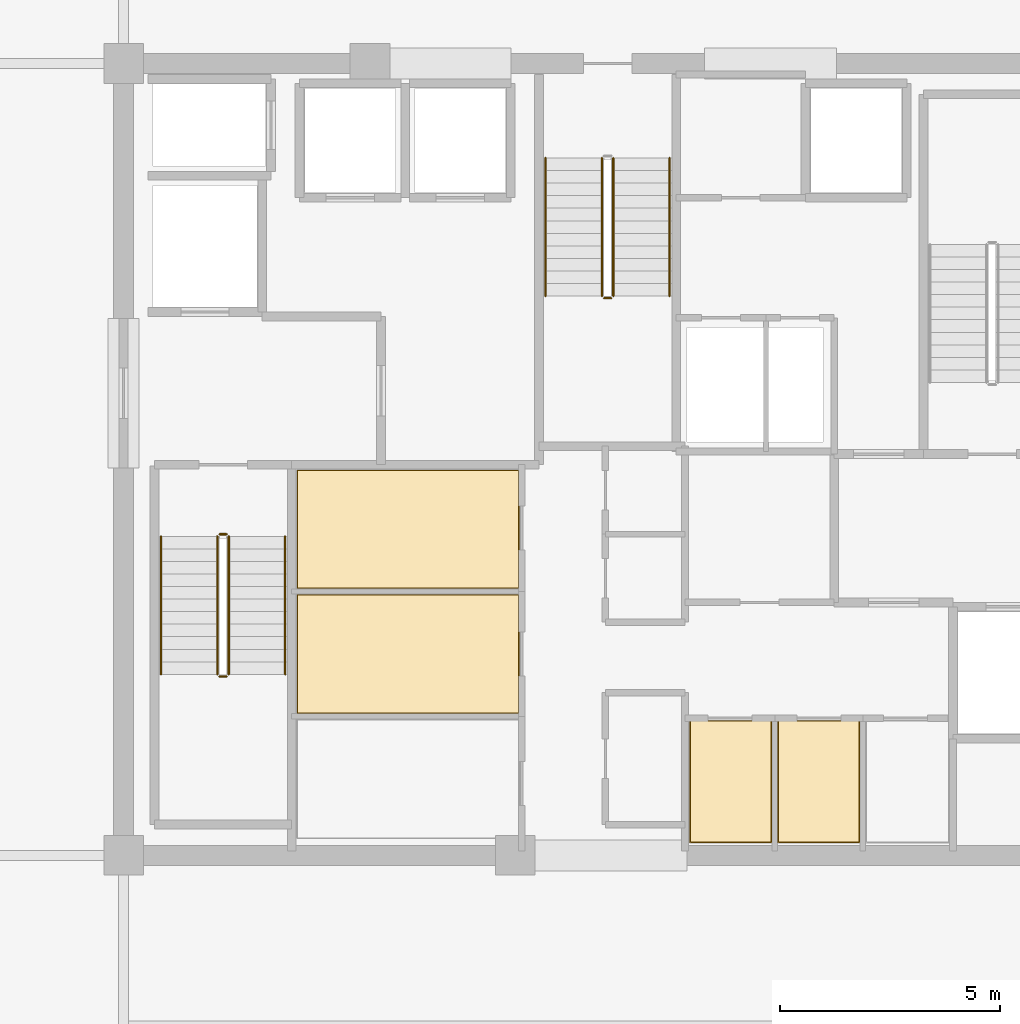
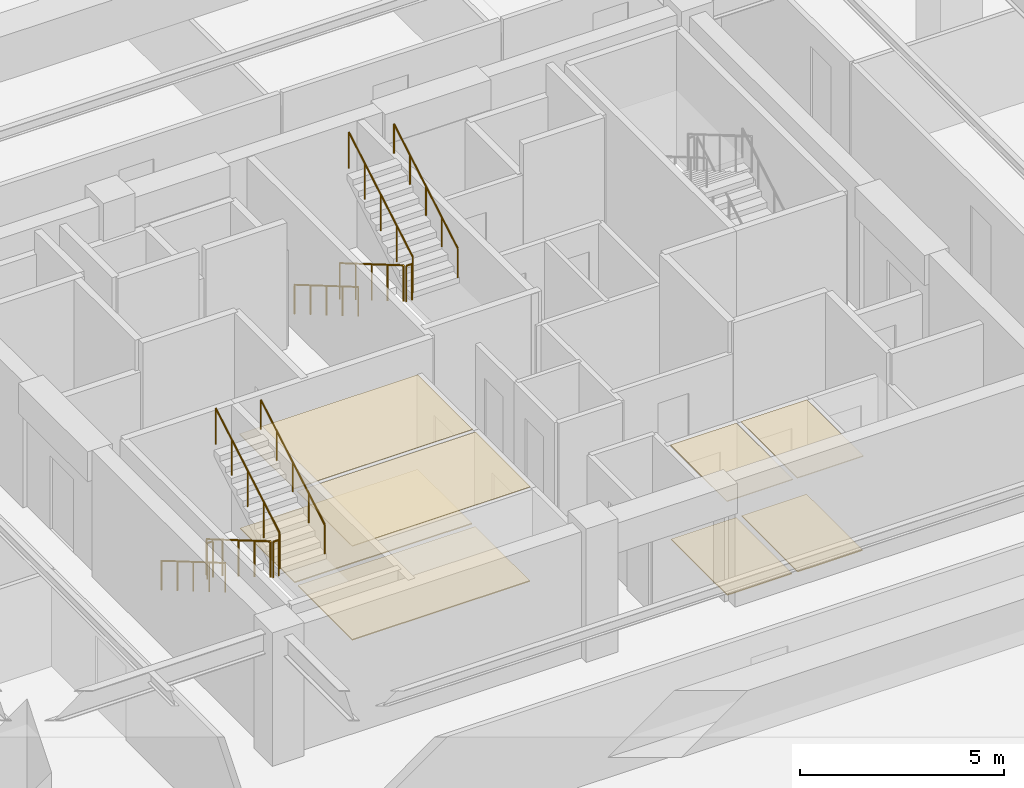
# One storey, part 21 of 24: 11 railings, 8 coverings.
"""IFC4 building model written with IfcOpenShell, lengths in metres."""

from ifc_helpers import new_model, si_unit, direction, frame, origin, origin_2d, place, context, subcontext, project, spatial, polyline, circle, outline, extrude, material, layer, layer_set, type_object, element, save


model = new_model("IFC4")

# Units and contexts
model_context = context("Model", 3, precision=1e-05, world=origin(), true_north=direction((0.0, 1.0)))
body_context = subcontext(model_context, "Body", "Model", "MODEL_VIEW")
ifc_project = project(units=[si_unit("LENGTHUNIT", "METRE"), si_unit("AREAUNIT", "SQUARE_METRE"), si_unit("VOLUMEUNIT", "CUBIC_METRE"), si_unit("PLANEANGLEUNIT", "RADIAN"), si_unit("MASSUNIT", "GRAM", prefix="KILO")], contexts=[model_context])

# Site, building, storey
site_placement = place(None, origin())
site = spatial("IfcSite", under=ifc_project, at=site_placement, CompositionType="ELEMENT")
building_placement = place(site_placement, origin())
building = spatial("IfcBuilding", under=site, at=building_placement, Name="Kovane Verandah Tower", CompositionType="ELEMENT")
storey_placement = place(building_placement, frame((0.0, 0.0, 259.199951171875)))
storey = spatial("IfcBuildingStorey", under=building, at=storey_placement, Name="L60", CompositionType="ELEMENT", Elevation=259.199951171875)

# Coverings
ifc_material_1 = material(Name="Perforated Acoustic Mineral-Fibre Ceiling Tile", Category="gypsum")
ifc_layer_1 = layer(ifc_material_1, 0.02490234375)
ifc_layer_set_1 = layer_set([ifc_layer_1], Name="Perforated Acoustic Mineral-Fibre Ceiling Tile")
covering_type_1 = type_object("IfcCoveringType", Name="CV-CEIL-25", PredefinedType="CEILING", material=ifc_layer_set_1)
covering_1_placement = place(storey_placement, frame((0.0, 0.0, 2.824951171875)))
element("IfcCovering", 1, at=covering_1_placement, inside=storey, type_object=covering_type_1, Name="L60 First Aid and Wellness Room Acoustic Ceiling", PredefinedType="CEILING", context=body_context, shape_type="SweptSolid", body=[
    extrude(outline(polyline([(32.93505859375, 21.72509765625), (37.9951171875, 21.72509765625), (37.9951171875, 24.43505859375), (32.93505859375, 24.43505859375), (32.93505859375, 21.72509765625)])), origin(), (0.0, 0.0, 1.0), 0.025146484375),
])
covering_2_placement = place(storey_placement, frame((0.0, 0.0, 2.824951171875)))
element("IfcCovering", 2, at=covering_2_placement, inside=storey, type_object=covering_type_1, Name="L60 Tea and Copy Hub Acoustic Ceiling", PredefinedType="CEILING", context=body_context, shape_type="SweptSolid", body=[
    extrude(outline(polyline([(32.93505859375, 24.56494140625), (37.9951171875, 24.56494140625), (37.9951171875, 27.264892578125), (32.93505859375, 27.264892578125), (32.93505859375, 24.56494140625)])), origin(), (0.0, 0.0, 1.0), 0.025146484375),
])
covering_3_placement = place(storey_placement, frame((0.0, 0.0, 2.824951171875)))
element("IfcCovering", 3, at=covering_3_placement, inside=storey, type_object=covering_type_1, Name="L60 Mail and Copy Room Acoustic Ceiling", PredefinedType="CEILING", context=body_context, shape_type="SweptSolid", body=[
    extrude(outline(polyline([(41.864990234375, 18.784912109375), (43.735107421875, 18.784912109375), (43.735107421875, 21.56494140625), (41.864990234375, 21.56494140625), (41.864990234375, 18.784912109375)])), origin(), (0.0, 0.0, 1.0), 0.025146484375),
])
covering_4_placement = place(storey_placement, frame((0.0, 0.0, 2.824951171875)))
element("IfcCovering", 4, at=covering_4_placement, inside=storey, type_object=covering_type_1, Name="L60 First Aid Room Acoustic Ceiling", PredefinedType="CEILING", context=body_context, shape_type="SweptSolid", body=[
    extrude(outline(polyline([(43.864990234375, 18.784912109375), (45.735107421875, 18.784912109375), (45.735107421875, 21.56494140625), (43.864990234375, 21.56494140625), (43.864990234375, 18.784912109375)])), origin(), (0.0, 0.0, 1.0), 0.025146484375),
])
ifc_material_2 = material(Name="Polished Terrazzo and Raised-Access Carpet Tile Finish", Category="concrete")
ifc_layer_2 = layer(ifc_material_2, 0.030029296875)
ifc_layer_set_2 = layer_set([ifc_layer_2], Name="Polished Terrazzo and Raised-Access Carpet Tile Finish")
covering_type_2 = type_object("IfcCoveringType", Name="CV-FLOR-30", PredefinedType="FLOORING", material=ifc_layer_set_2)
covering_5_placement = place(storey_placement, origin())
element("IfcCovering", 5, at=covering_5_placement, inside=storey, type_object=covering_type_2, Name="L60 First Aid and Wellness Room Floor Finish", PredefinedType="FLOORING", context=body_context, shape_type="SweptSolid", body=[
    extrude(outline(polyline([(32.949951171875, 21.739990234375), (37.97998046875, 21.739990234375), (37.97998046875, 24.419921875), (32.949951171875, 24.419921875), (32.949951171875, 21.739990234375)])), origin(), (0.0, 0.0, 1.0), 0.030029296875),
])
covering_6_placement = place(storey_placement, origin())
element("IfcCovering", 6, at=covering_6_placement, inside=storey, type_object=covering_type_2, Name="L60 Tea and Copy Hub Floor Finish", PredefinedType="FLOORING", context=body_context, shape_type="SweptSolid", body=[
    extrude(outline(polyline([(32.949951171875, 24.580078125), (37.97998046875, 24.580078125), (37.97998046875, 27.25), (32.949951171875, 27.25), (32.949951171875, 24.580078125)])), origin(), (0.0, 0.0, 1.0), 0.030029296875),
])
covering_7_placement = place(storey_placement, origin())
element("IfcCovering", 7, at=covering_7_placement, inside=storey, type_object=covering_type_2, Name="L60 Mail and Copy Room Floor Finish", PredefinedType="FLOORING", context=body_context, shape_type="SweptSolid", body=[
    extrude(outline(polyline([(41.8798828125, 18.800048828125), (43.719970703125, 18.800048828125), (43.719970703125, 21.550048828125), (41.8798828125, 21.550048828125), (41.8798828125, 18.800048828125)])), origin(), (0.0, 0.0, 1.0), 0.030029296875),
])
covering_8_placement = place(storey_placement, origin())
element("IfcCovering", 8, at=covering_8_placement, inside=storey, type_object=covering_type_2, Name="L60 First Aid Room Floor Finish", PredefinedType="FLOORING", context=body_context, shape_type="SweptSolid", body=[
    extrude(outline(polyline([(43.8798828125, 18.800048828125), (45.719970703125, 18.800048828125), (45.719970703125, 21.550048828125), (43.8798828125, 21.550048828125), (43.8798828125, 18.800048828125)])), origin(), (0.0, 0.0, 1.0), 0.030029296875),
])

# Railings
ifc_material_3 = material(Name="Brushed Stainless Steel Handrail", Category="steel")
railing_type_1 = type_object("IfcRailingType", Name="RL-HAND-920", PredefinedType="HANDRAIL", material=ifc_material_3)
railing_1_placement = place(storey_placement, frame((29.85009765625, 25.75, 0.166748046875)))
element("IfcRailing", 9, at=railing_1_placement, inside=storey, type_object=railing_type_1, Name="L60 ST-01 stair handrail 1", PredefinedType="HANDRAIL", context=body_context, shape_type="SweptSolid", body=[
    extrude(circle(Radius=0.02392578125, at=origin_2d()), frame((0.0, 0.0, 0.8759765625), z_axis=(0.0, -0.863239559939, 0.504794475164), x_axis=(1.0, 0.0, 0.0)), (0.0, 0.0, 1.0), 3.631591796875),
    extrude(circle(Radius=0.02099609375, at=origin_2d()), origin(), (0.0, 0.0, 1.0), 0.851806640625),
    extrude(circle(Radius=0.02099609375, at=origin_2d()), frame((0.0, -0.78369140625, 0.458251953125)), (0.0, 0.0, 1.0), 0.851806640625),
    extrude(circle(Radius=0.02099609375, at=origin_2d()), frame((0.0, -1.5673828125, 0.91650390625)), (0.0, 0.0, 1.0), 0.851806640625),
    extrude(circle(Radius=0.02099609375, at=origin_2d()), frame((0.0, -2.351318359375, 1.375)), (0.0, 0.0, 1.0), 0.851806640625),
    extrude(circle(Radius=0.02099609375, at=origin_2d()), frame((0.0, -3.135009765625, 1.833251953125)), (0.0, 0.0, 1.0), 0.851806640625),
])
railing_2_placement = place(storey_placement, frame((32.669921875, 22.614990234375, 2.166748046875)))
element("IfcRailing", 10, at=railing_2_placement, inside=storey, type_object=railing_type_1, Name="L60 ST-01 stair handrail 2", PredefinedType="HANDRAIL", context=body_context, shape_type="SweptSolid", body=[
    extrude(circle(Radius=0.02392578125, at=origin_2d()), frame((0.0, 0.0, 0.8759765625), z_axis=(0.0, 0.863239559939, 0.504794475164), x_axis=(-1.0, 0.0, 0.0)), (0.0, 0.0, 1.0), 3.631591796875),
    extrude(circle(Radius=0.02099609375, at=origin_2d()), origin(), (0.0, 0.0, 1.0), 0.851806640625),
    extrude(circle(Radius=0.02099609375, at=origin_2d()), frame((0.0, 0.78369140625, 0.458251953125)), (0.0, 0.0, 1.0), 0.851806640625),
    extrude(circle(Radius=0.02099609375, at=origin_2d()), frame((0.0, 1.5673828125, 0.91650390625)), (0.0, 0.0, 1.0), 0.851806640625),
    extrude(circle(Radius=0.02099609375, at=origin_2d()), frame((0.0, 2.351318359375, 1.375)), (0.0, 0.0, 1.0), 0.851806640625),
    extrude(circle(Radius=0.02099609375, at=origin_2d()), frame((0.0, 3.135009765625, 1.833251953125)), (0.0, 0.0, 1.0), 0.851806640625),
])
railing_3_placement = place(storey_placement, frame((38.590087890625, 34.35009765625, 0.166748046875)))
element("IfcRailing", 11, at=railing_3_placement, inside=storey, type_object=railing_type_1, Name="L60 ST-03 stair handrail 1", PredefinedType="HANDRAIL", context=body_context, shape_type="SweptSolid", body=[
    extrude(circle(Radius=0.02392578125, at=origin_2d()), frame((0.0, 0.0, 0.8759765625), z_axis=(0.0, -0.863239559939, 0.504794475164), x_axis=(1.0, 0.0, 0.0)), (0.0, 0.0, 1.0), 3.631591796875),
    extrude(circle(Radius=0.02099609375, at=origin_2d()), origin(), (0.0, 0.0, 1.0), 0.851806640625),
    extrude(circle(Radius=0.02099609375, at=origin_2d()), frame((0.0, -0.78369140625, 0.458251953125)), (0.0, 0.0, 1.0), 0.851806640625),
    extrude(circle(Radius=0.02099609375, at=origin_2d()), frame((0.0, -1.5673828125, 0.91650390625)), (0.0, 0.0, 1.0), 0.851806640625),
    extrude(circle(Radius=0.02099609375, at=origin_2d()), frame((0.0, -2.351318359375, 1.375)), (0.0, 0.0, 1.0), 0.851806640625),
    extrude(circle(Radius=0.02099609375, at=origin_2d()), frame((0.0, -3.135009765625, 1.833251953125)), (0.0, 0.0, 1.0), 0.851806640625),
])
railing_4_placement = place(storey_placement, frame((41.409912109375, 31.215087890625, 2.166748046875)))
element("IfcRailing", 12, at=railing_4_placement, inside=storey, type_object=railing_type_1, Name="L60 ST-03 stair handrail 2", PredefinedType="HANDRAIL", context=body_context, shape_type="SweptSolid", body=[
    extrude(circle(Radius=0.02392578125, at=origin_2d()), frame((0.0, 0.0, 0.8759765625), z_axis=(0.0, 0.863239559939, 0.504794475164), x_axis=(-1.0, 0.0, 0.0)), (0.0, 0.0, 1.0), 3.631591796875),
    extrude(circle(Radius=0.02099609375, at=origin_2d()), origin(), (0.0, 0.0, 1.0), 0.851806640625),
    extrude(circle(Radius=0.02099609375, at=origin_2d()), frame((0.0, 0.78369140625, 0.458251953125)), (0.0, 0.0, 1.0), 0.851806640625),
    extrude(circle(Radius=0.02099609375, at=origin_2d()), frame((0.0, 1.5673828125, 0.91650390625)), (0.0, 0.0, 1.0), 0.851806640625),
    extrude(circle(Radius=0.02099609375, at=origin_2d()), frame((0.0, 2.351318359375, 1.375)), (0.0, 0.0, 1.0), 0.851806640625),
    extrude(circle(Radius=0.02099609375, at=origin_2d()), frame((0.0, 3.135009765625, 1.833251953125)), (0.0, 0.0, 1.0), 0.851806640625),
])
ifc_material_4 = material(Name="Painted Steel Stairwell Guardrail", Category="steel")
railing_type_2 = type_object("IfcRailingType", Name="RL-STGUARD-1120", PredefinedType="GUARDRAIL", material=ifc_material_4)
railing_5_placement = place(storey_placement, frame((31.1298828125, 25.75, 0.166748046875)))
element("IfcRailing", 13, at=railing_5_placement, inside=storey, type_object=railing_type_2, Name="L60 ST-01 stair guard 1", PredefinedType="GUARDRAIL", context=body_context, shape_type="SweptSolid", body=[
    extrude(circle(Radius=0.02392578125, at=origin_2d()), frame((0.0, 0.0, 1.076171875), z_axis=(0.0, -0.863239559939, 0.504794475164), x_axis=(1.0, 0.0, 0.0)), (0.0, 0.0, 1.0), 3.631591796875),
    extrude(circle(Radius=0.02099609375, at=origin_2d()), origin(), (0.0, 0.0, 1.0), 1.052001953125),
    extrude(circle(Radius=0.02099609375, at=origin_2d()), frame((0.0, -0.78369140625, 0.458251953125)), (0.0, 0.0, 1.0), 1.052001953125),
    extrude(circle(Radius=0.02099609375, at=origin_2d()), frame((0.0, -1.5673828125, 0.91650390625)), (0.0, 0.0, 1.0), 1.052001953125),
    extrude(circle(Radius=0.02099609375, at=origin_2d()), frame((0.0, -2.351318359375, 1.375)), (0.0, 0.0, 1.0), 1.052001953125),
    extrude(circle(Radius=0.02099609375, at=origin_2d()), frame((0.0, -3.135009765625, 1.833251953125)), (0.0, 0.0, 1.0), 1.052001953125),
])
railing_6_placement = place(storey_placement, frame((31.179931640625, 22.56494140625, 2.0)))
element("IfcRailing", 14, at=railing_6_placement, inside=storey, type_object=railing_type_2, Name="L60 ST-01 stair guard 2", PredefinedType="GUARDRAIL", context=body_context, shape_type="SweptSolid", body=[
    extrude(circle(Radius=0.02392578125, at=origin_2d()), frame((0.0, 0.0, 1.076171875), z_axis=(1.0, 0.0, 0.0), x_axis=(0.0, 1.0, 0.0)), (0.0, 0.0, 1.0), 0.16015625),
    extrude(circle(Radius=0.02099609375, at=origin_2d()), origin(), (0.0, 0.0, 1.0), 1.052001953125),
    extrude(circle(Radius=0.02099609375, at=origin_2d()), frame((0.16015625, 0.0, 0.0)), (0.0, 0.0, 1.0), 1.052001953125),
])
railing_7_placement = place(storey_placement, frame((31.389892578125, 22.614990234375, 2.166748046875)))
element("IfcRailing", 15, at=railing_7_placement, inside=storey, type_object=railing_type_2, Name="L60 ST-01 stair guard 3", PredefinedType="GUARDRAIL", context=body_context, shape_type="SweptSolid", body=[
    extrude(circle(Radius=0.02392578125, at=origin_2d()), frame((0.0, 0.0, 1.076171875), z_axis=(0.0, 0.863239559939, 0.504794475164), x_axis=(-1.0, 0.0, 0.0)), (0.0, 0.0, 1.0), 3.631591796875),
    extrude(circle(Radius=0.02099609375, at=origin_2d()), origin(), (0.0, 0.0, 1.0), 1.052001953125),
    extrude(circle(Radius=0.02099609375, at=origin_2d()), frame((0.0, 0.78369140625, 0.458251953125)), (0.0, 0.0, 1.0), 1.052001953125),
    extrude(circle(Radius=0.02099609375, at=origin_2d()), frame((0.0, 1.5673828125, 0.91650390625)), (0.0, 0.0, 1.0), 1.052001953125),
    extrude(circle(Radius=0.02099609375, at=origin_2d()), frame((0.0, 2.351318359375, 1.375)), (0.0, 0.0, 1.0), 1.052001953125),
    extrude(circle(Radius=0.02099609375, at=origin_2d()), frame((0.0, 3.135009765625, 1.833251953125)), (0.0, 0.0, 1.0), 1.052001953125),
])
railing_8_placement = place(storey_placement, frame((31.179931640625, 25.800048828125, 0.0)))
element("IfcRailing", 16, at=railing_8_placement, inside=storey, type_object=railing_type_2, Name="L60 ST-01 stair guard 4", PredefinedType="GUARDRAIL", context=body_context, shape_type="SweptSolid", body=[
    extrude(circle(Radius=0.02392578125, at=origin_2d()), frame((0.0, 0.0, 1.076171875), z_axis=(1.0, 0.0, 0.0), x_axis=(0.0, 1.0, 0.0)), (0.0, 0.0, 1.0), 0.16015625),
    extrude(circle(Radius=0.02099609375, at=origin_2d()), origin(), (0.0, 0.0, 1.0), 1.052001953125),
    extrude(circle(Radius=0.02099609375, at=origin_2d()), frame((0.16015625, 0.0, 0.0)), (0.0, 0.0, 1.0), 1.052001953125),
])
railing_9_placement = place(storey_placement, frame((39.8701171875, 34.35009765625, 0.166748046875)))
element("IfcRailing", 17, at=railing_9_placement, inside=storey, type_object=railing_type_2, Name="L60 ST-03 stair guard 1", PredefinedType="GUARDRAIL", context=body_context, shape_type="SweptSolid", body=[
    extrude(circle(Radius=0.02392578125, at=origin_2d()), frame((0.0, 0.0, 1.076171875), z_axis=(0.0, -0.863239559939, 0.504794475164), x_axis=(1.0, 0.0, 0.0)), (0.0, 0.0, 1.0), 3.631591796875),
    extrude(circle(Radius=0.02099609375, at=origin_2d()), origin(), (0.0, 0.0, 1.0), 1.052001953125),
    extrude(circle(Radius=0.02099609375, at=origin_2d()), frame((0.0, -0.78369140625, 0.458251953125)), (0.0, 0.0, 1.0), 1.052001953125),
    extrude(circle(Radius=0.02099609375, at=origin_2d()), frame((0.0, -1.5673828125, 0.91650390625)), (0.0, 0.0, 1.0), 1.052001953125),
    extrude(circle(Radius=0.02099609375, at=origin_2d()), frame((0.0, -2.351318359375, 1.375)), (0.0, 0.0, 1.0), 1.052001953125),
    extrude(circle(Radius=0.02099609375, at=origin_2d()), frame((0.0, -3.135009765625, 1.833251953125)), (0.0, 0.0, 1.0), 1.052001953125),
])
railing_10_placement = place(storey_placement, frame((39.919921875, 31.1650390625, 2.0)))
element("IfcRailing", 18, at=railing_10_placement, inside=storey, type_object=railing_type_2, Name="L60 ST-03 stair guard 2", PredefinedType="GUARDRAIL", context=body_context, shape_type="SweptSolid", body=[
    extrude(circle(Radius=0.02392578125, at=origin_2d()), frame((0.0, 0.0, 1.076171875), z_axis=(1.0, 0.0, 0.0), x_axis=(0.0, 1.0, 0.0)), (0.0, 0.0, 1.0), 0.16015625),
    extrude(circle(Radius=0.02099609375, at=origin_2d()), origin(), (0.0, 0.0, 1.0), 1.052001953125),
    extrude(circle(Radius=0.02099609375, at=origin_2d()), frame((0.16015625, 0.0, 0.0)), (0.0, 0.0, 1.0), 1.052001953125),
])
railing_11_placement = place(storey_placement, frame((40.1298828125, 31.215087890625, 2.166748046875)))
element("IfcRailing", 19, at=railing_11_placement, inside=storey, type_object=railing_type_2, Name="L60 ST-03 stair guard 3", PredefinedType="GUARDRAIL", context=body_context, shape_type="SweptSolid", body=[
    extrude(circle(Radius=0.02392578125, at=origin_2d()), frame((0.0, 0.0, 1.076171875), z_axis=(0.0, 0.863239559939, 0.504794475164), x_axis=(-1.0, 0.0, 0.0)), (0.0, 0.0, 1.0), 3.631591796875),
    extrude(circle(Radius=0.02099609375, at=origin_2d()), origin(), (0.0, 0.0, 1.0), 1.052001953125),
    extrude(circle(Radius=0.02099609375, at=origin_2d()), frame((0.0, 0.78369140625, 0.458251953125)), (0.0, 0.0, 1.0), 1.052001953125),
    extrude(circle(Radius=0.02099609375, at=origin_2d()), frame((0.0, 1.5673828125, 0.91650390625)), (0.0, 0.0, 1.0), 1.052001953125),
    extrude(circle(Radius=0.02099609375, at=origin_2d()), frame((0.0, 2.351318359375, 1.375)), (0.0, 0.0, 1.0), 1.052001953125),
    extrude(circle(Radius=0.02099609375, at=origin_2d()), frame((0.0, 3.135009765625, 1.833251953125)), (0.0, 0.0, 1.0), 1.052001953125),
])

save(model, "model.ifc")
